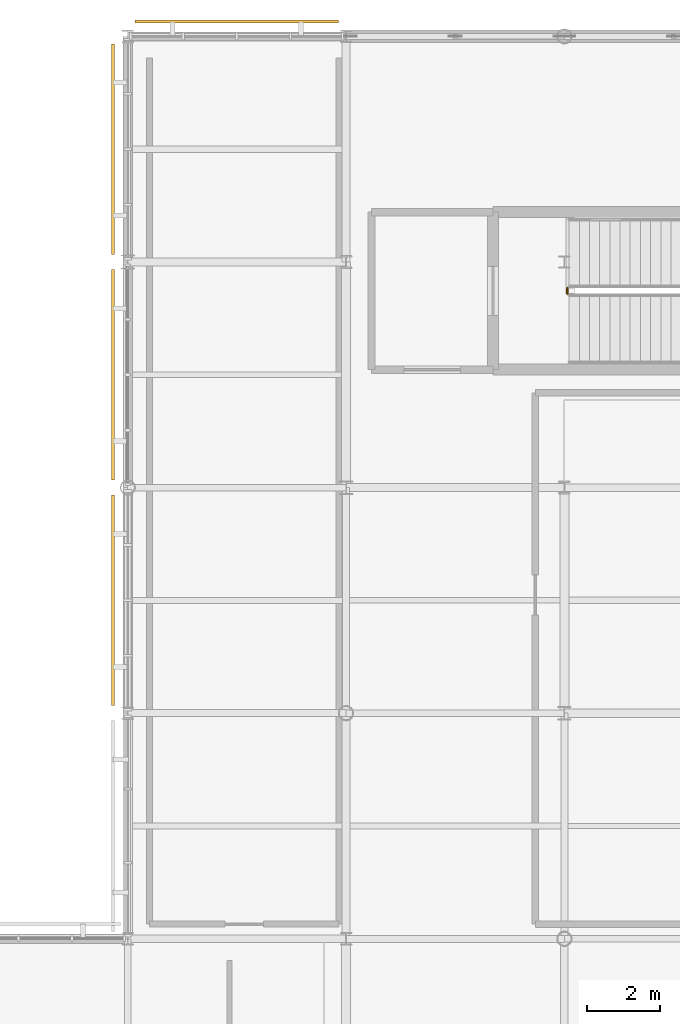
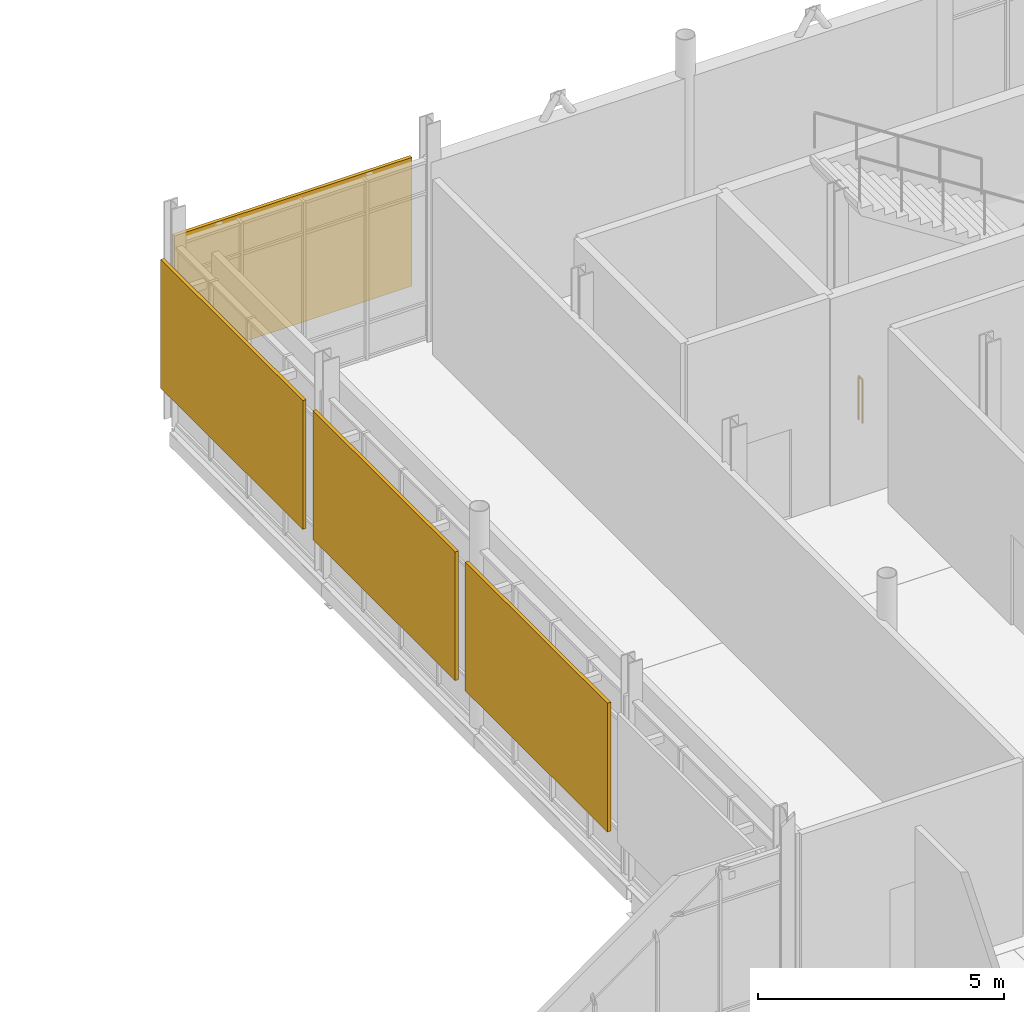
# One storey, part 100 of 105: 4 shading devices, 1 railing.
"""IFC4 building model written with IfcOpenShell, lengths in metres."""

import ifcopenshell
import ifcopenshell.guid

model = None  # the IFC model being written
_history = None  # IfcOwnerHistory: only IFC2X3 demands one
_inside = {}  # id of a spatial element -> (the spatial element, [elements in it])
_under = {}  # id of a project, library or spatial element -> (it, [spatial elements below it])
_declared = {}  # id of a project -> (the project, [libraries it declares])
_typed = {}  # id of a type object -> (the type object, [elements of that type])
_made_of = {}  # id of a material, layer set ... -> (it, [elements and type objects made of it])


def new_model(schema):
    """Start an empty IFC model of exactly this schema.

    Asked for "IFC4X3", IfcOpenShell would pick the latest addendum, in which some entities
    have other attributes; the version numbers below select the first issue.
    IFC2X3 requires an IfcOwnerHistory on every rooted entity: one is made here for all.
    """
    global model, _history
    if schema == "IFC4X3":
        model = ifcopenshell.file(schema_version=(4, 3, 0, 0))
    else:
        model = ifcopenshell.file(schema=schema)
    _inside.clear()
    _under.clear()
    _declared.clear()
    _typed.clear()
    _made_of.clear()
    _history = None
    if model.schema == "IFC2X3":
        org = make("IfcOrganization", Name="unknown")
        user = make(
            "IfcPersonAndOrganization",
            ThePerson=make("IfcPerson", FamilyName="unknown"),
            TheOrganization=org,
        )
        app = make(
            "IfcApplication",
            ApplicationDeveloper=org,
            Version="unknown",
            ApplicationFullName="unknown",
            ApplicationIdentifier="unknown",
        )
        _history = make(
            "IfcOwnerHistory",
            OwningUser=user,
            OwningApplication=app,
            ChangeAction="ADDED",
            CreationDate=0,
        )
    return model


def make(cls, **values):
    """One entity of the class cls with the attributes given. An attribute that is None is left unset."""
    return model.create_entity(
        cls, **{name: value for name, value in values.items() if value is not None}
    )


def rooted(cls, **values):
    """An entity with a GlobalId (a new one), such as an element, a storey or a relation."""
    return make(cls, GlobalId=ifcopenshell.guid.new(), OwnerHistory=_history, **values)


def si_unit(unit_type, name, prefix=None):
    """IfcSIUnit, for example si_unit("LENGTHUNIT", "METRE", prefix="MILLI")."""
    return make("IfcSIUnit", UnitType=unit_type, Prefix=prefix, Name=name)


def assignment(units):
    """IfcUnitAssignment: the units of a project."""
    return None if units is None else make("IfcUnitAssignment", Units=units)


def point(xyz):
    """IfcCartesianPoint."""
    return None if xyz is None else make("IfcCartesianPoint", Coordinates=xyz)


def direction(xyz):
    """IfcDirection."""
    return None if xyz is None else make("IfcDirection", DirectionRatios=xyz)


def frame(location, z_axis=None, x_axis=None):
    """IfcAxis2Placement3D, a coordinate frame: its origin and axes. An axis left out is left unset."""
    return make(
        "IfcAxis2Placement3D",
        Location=point(location),
        Axis=direction(z_axis),
        RefDirection=direction(x_axis),
    )


def frame_2d(location, x_axis=None):
    """IfcAxis2Placement2D, a coordinate frame in the plane: its origin and x axis."""
    return make(
        "IfcAxis2Placement2D", Location=point(location), RefDirection=direction(x_axis)
    )


def origin():
    """The frame at (0, 0, 0) with its axes left unset."""
    return frame((0.0, 0.0, 0.0))


def origin_2d():
    """The frame at (0, 0) in the plane with its x axis left unset."""
    return frame_2d((0.0, 0.0))


def place(relative_to, where):
    """IfcLocalPlacement: puts the frame where relative to a parent placement (None: the world)."""
    return make(
        "IfcLocalPlacement", PlacementRelTo=relative_to, RelativePlacement=where
    )


def context(
    kind, dimensions, precision=None, world=None, true_north=None, identifier=None
):
    """IfcGeometricRepresentationContext, for example the 3D "Model" context."""
    return make(
        "IfcGeometricRepresentationContext",
        ContextIdentifier=identifier,
        ContextType=kind,
        CoordinateSpaceDimension=dimensions,
        Precision=precision,
        WorldCoordinateSystem=world,
        TrueNorth=true_north,
    )


def subcontext(parent, identifier, kind, view, scale=None):
    """IfcGeometricRepresentationSubContext, for example "Body" below "Model"."""
    return make(
        "IfcGeometricRepresentationSubContext",
        ContextIdentifier=identifier,
        ContextType=kind,
        ParentContext=parent,
        TargetScale=scale,
        TargetView=view,
    )


def project(units=None, contexts=None):
    """IfcProject with its units and contexts."""
    return rooted(
        "IfcProject",
        Name="project",
        RepresentationContexts=contexts,
        UnitsInContext=assignment(units),
    )


def spatial(cls, under=None, at=None, **own):
    """A site, building, storey or space (cls), placed at a placement, below another one or the project."""
    s = rooted(cls, ObjectPlacement=at, **own)
    if under is not None:
        _under.setdefault(under.id(), (under, []))[1].append(s)
    return s


def profile(cls, at=None, kind="AREA", **sizes):
    """A parametric profile (cls). Its sizes go by their IFC names, for example OverallWidth=200.0."""
    return make(cls, ProfileType=kind, Position=at, **sizes)


def rectangle(**sizes):
    """IfcRectangleProfileDef."""
    return profile("IfcRectangleProfileDef", **sizes)


def circle(**sizes):
    """IfcCircleProfileDef."""
    return profile("IfcCircleProfileDef", **sizes)


def extrude(swept, where, along, depth):
    """IfcExtrudedAreaSolid: the profile swept, set in the frame where, extruded along a direction by depth."""
    return make(
        "IfcExtrudedAreaSolid",
        SweptArea=swept,
        Position=where,
        ExtrudedDirection=direction(along),
        Depth=depth,
    )


def shape(context_of_items, identifier, shape_type, items):
    """IfcShapeRepresentation: the items that make up one representation, for example the "Body"."""
    return make(
        "IfcShapeRepresentation",
        ContextOfItems=context_of_items,
        RepresentationIdentifier=identifier,
        RepresentationType=shape_type,
        Items=items,
    )


def material(Name=None, Category=None):
    """IfcMaterial."""
    return make("IfcMaterial", Name=Name, Category=Category)


def layer(
    of_material, thickness, ventilated=None, Name=None, Category=None, Priority=None
):
    """IfcMaterialLayer: one layer of a wall or slab, of a material (None: an air gap)."""
    return make(
        "IfcMaterialLayer",
        Material=of_material,
        LayerThickness=thickness,
        IsVentilated=ventilated,
        Name=Name,
        Category=Category,
        Priority=Priority,
    )


def layer_set(layers, Name=None):
    """IfcMaterialLayerSet."""
    return make("IfcMaterialLayerSet", MaterialLayers=layers, LayerSetName=Name)


def made_of(thing, what):
    """Note that an element or type object is made of a material, layer set ...; save() writes the relation."""
    if what is not None:
        _made_of.setdefault(what.id(), (what, []))[1].append(thing)
    return thing


def type_object(cls, material=None, **own):
    """A type object (cls), such as IfcWallType, which elements share."""
    return made_of(rooted(cls, **own), material)


def element(
    cls,
    number,
    at=None,
    inside=None,
    cuts=None,
    type_object=None,
    material=None,
    context=None,
    identifier="Body",
    shape_type=None,
    held_by="IfcProductDefinitionShape",
    body=None,
    shapes=None,
    **own,
):
    """One element of the class cls, such as IfcWall. Its Tag is "e" and its number.

    at: its placement. inside: the storey or other place that contains it. cuts: it is an
    opening in that element (IfcRelVoidsElement). A single representation is given by context,
    identifier, shape_type and body (its items); several are given by shapes. held_by: the class
    of the entity that holds the representations. save() writes the other relations.
    """
    e = rooted(cls, Tag="e%d" % number, ObjectPlacement=at, **own)
    if body is not None:
        shapes = [shape(context, identifier, shape_type, body)]
    if shapes is not None:
        e.Representation = make(held_by, Representations=shapes)
    if inside is not None:
        _inside.setdefault(inside.id(), (inside, []))[1].append(e)
    if cuts is not None:
        rooted(
            "IfcRelVoidsElement", RelatingBuildingElement=cuts, RelatedOpeningElement=e
        )
    if type_object is not None:
        _typed.setdefault(type_object.id(), (type_object, []))[1].append(e)
    return made_of(e, material)


def aggregate(whole, parts):
    """IfcRelAggregates: a whole, such as a stair, and the parts it consists of."""
    return rooted("IfcRelAggregates", RelatingObject=whole, RelatedObjects=parts)


def save(model, path):
    """Write the relations noted so far, then the file.

    IfcRelAggregates (storeys below a building ...), IfcRelContainedInSpatialStructure (elements
    in a storey), IfcRelDefinesByType, IfcRelAssociatesMaterial and IfcRelDeclares: one each for
    every whole, place, type object, material and project.
    """
    for whole, parts in _under.values():
        aggregate(whole, parts)
    for where, things in _inside.values():
        rooted(
            "IfcRelContainedInSpatialStructure",
            RelatedElements=things,
            RelatingStructure=where,
        )
    for kind, things in _typed.values():
        rooted("IfcRelDefinesByType", RelatedObjects=things, RelatingType=kind)
    for what, things in _made_of.values():
        rooted("IfcRelAssociatesMaterial", RelatedObjects=things, RelatingMaterial=what)
    for by, libraries in _declared.values():
        rooted("IfcRelDeclares", RelatingContext=by, RelatedDefinitions=libraries)
    model.write(path)


model = new_model("IFC4")

# Units and contexts
model_context = context("Model", 3, precision=1e-05, world=origin(), true_north=direction((0.0, 1.0)))
body_context = subcontext(model_context, "Body", "Model", "MODEL_VIEW")
ifc_project = project(units=[si_unit("LENGTHUNIT", "METRE"), si_unit("AREAUNIT", "SQUARE_METRE"), si_unit("VOLUMEUNIT", "CUBIC_METRE"), si_unit("PLANEANGLEUNIT", "RADIAN"), si_unit("MASSUNIT", "GRAM", prefix="KILO")], contexts=[model_context])

# Site, building, storey
site_placement = place(None, origin())
site = spatial("IfcSite", under=ifc_project, at=site_placement, CompositionType="ELEMENT")
building_placement = place(site_placement, origin())
building = spatial("IfcBuilding", under=site, at=building_placement, Name="Mirzam Square Science Centre", CompositionType="ELEMENT")
storey_placement = place(building_placement, frame((0.0, 0.0, 5.39990234375)))
storey = spatial("IfcBuildingStorey", under=building, at=storey_placement, Name="L01", CompositionType="ELEMENT", Elevation=5.39990234375)

# Railing
ifc_material_1 = material(Name="Bronze-Anodised Architectural Balustrade", Category="aluminium")
railing_type = type_object("IfcRailingType", Name="RL-INT-GUARD-1100", PredefinedType="GUARDRAIL", material=ifc_material_1)
railing_placement = place(storey_placement, frame((126.080078125, 104.530029296875, 0.0)))
element("IfcRailing", 1, at=railing_placement, inside=storey, type_object=railing_type, Name="L01 ST-11 stair guard 4", PredefinedType="GUARDRAIL", context=body_context, shape_type="SweptSolid", body=[
    extrude(circle(Radius=0.02392578125, at=origin_2d()), frame((0.0, 0.0, 1.076171875), z_axis=(0.0, 1.0, 0.0), x_axis=(-1.0, 0.0, 0.0)), (0.0, 0.0, 1.0), 0.14990234375),
    extrude(circle(Radius=0.02099609375, at=origin_2d()), origin(), (0.0, 0.0, 1.0), 1.052001953125),
    extrude(circle(Radius=0.02099609375, at=origin_2d()), frame((0.0, 0.14990234375, 0.0)), (0.0, 0.0, 1.0), 1.052001953125),
])

# Shading devices
ifc_material_2 = material(Name="Perforated Bronze-Anodised Aluminium Brise-Soleil", Category="aluminium")
ifc_layer = layer(ifc_material_2, 0.080078125)
ifc_layer_set = layer_set([ifc_layer], Name="SHD-BRISE-BRONZE")
shading_device_type = type_object("IfcShadingDeviceType", Name="SHD-BRISE-BRONZE", PredefinedType="JALOUSIE", material=ifc_layer_set)
shading_device_placement = place(storey_placement, frame((117.0, 112.010009765625, 1.09033203125), z_axis=(0.0, 0.0, 1.0), x_axis=(-1.0, 0.0, 0.0)))
element("IfcShadingDevice", 2, at=shading_device_placement, inside=storey, type_object=shading_device_type, Name="L01 bronze brise-soleil screen 80", PredefinedType="JALOUSIE", context=body_context, shape_type="SweptSolid", body=[
    extrude(rectangle(XDim=5.590087890625, YDim=0.080078125, at=origin_2d()), origin(), (0.0, 0.0, 1.0), 3.199951171875),
])
for number, where, z_axis, x_axis, name in (
    (3, (113.590087890625, 96.10009765625, 1.09033203125), (0.0, 0.0, 1.0), (0.0, -1.0, 0.0), "L01 bronze brise-soleil screen 84"),
    (4, (113.590087890625, 102.300048828125, 1.09033203125), (0.0, 0.0, 1.0), (0.0, -1.0, 0.0), "L01 bronze brise-soleil screen 86"),
    (5, (113.590087890625, 108.5, 1.09033203125), (0.0, 0.0, 1.0), (0.0, -1.0, 0.0), "L01 bronze brise-soleil screen 88"),
):
    element("IfcShadingDevice", number, at=place(storey_placement, frame(where, z_axis=z_axis, x_axis=x_axis)), inside=storey, type_object=shading_device_type, Name=name, PredefinedType="JALOUSIE", context=body_context, shape_type="SweptSolid", body=[
        extrude(rectangle(XDim=5.7900390625, YDim=0.080078125, at=origin_2d()), origin(), (0.0, 0.0, 1.0), 3.199951171875),
    ])

save(model, "model.ifc")
